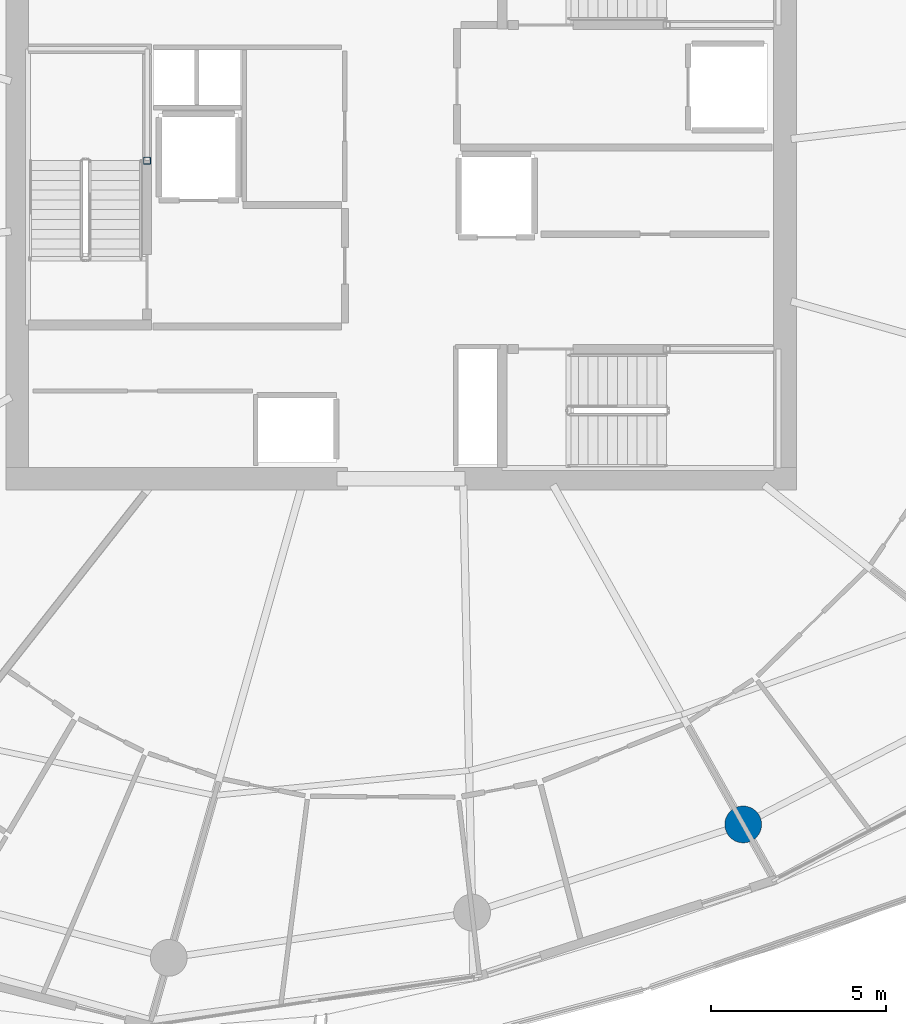
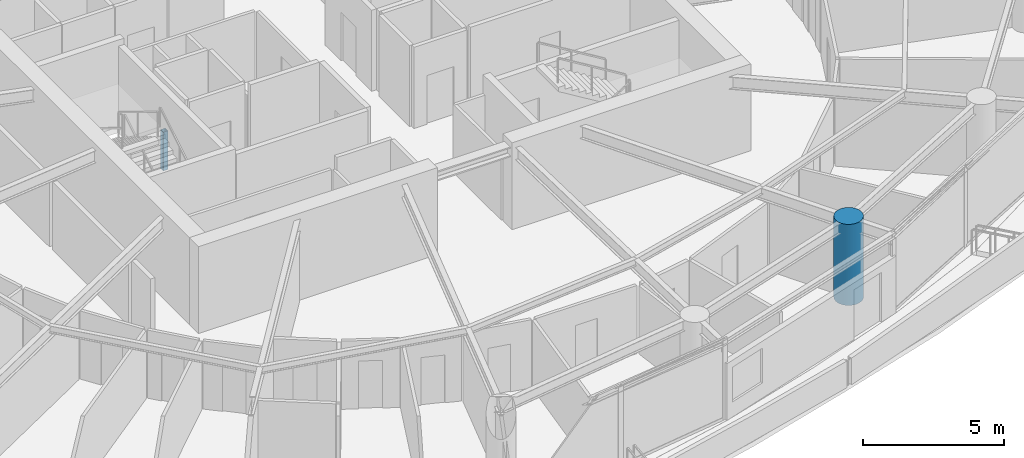
# One storey, part 2 of 21: 2 columns.
"""IFC4 building model written with IfcOpenShell, lengths in metres."""

from ifc_helpers import new_model, si_unit, direction, frame, origin, origin_2d, place, context, subcontext, project, spatial, hollow_rectangle, circle, extrude, material, material_profile, profile_set, type_object, element, save


model = new_model("IFC4")

# Units and contexts
model_context = context("Model", 3, precision=1e-05, world=origin(), true_north=direction((0.0, 1.0)))
body_context = subcontext(model_context, "Body", "Model", "MODEL_VIEW")
ifc_project = project(units=[si_unit("LENGTHUNIT", "METRE"), si_unit("AREAUNIT", "SQUARE_METRE"), si_unit("VOLUMEUNIT", "CUBIC_METRE"), si_unit("PLANEANGLEUNIT", "RADIAN"), si_unit("MASSUNIT", "GRAM", prefix="KILO")], contexts=[model_context])

# Site, building, storey
site_placement = place(None, origin())
site = spatial("IfcSite", under=ifc_project, at=site_placement, CompositionType="ELEMENT")
building_placement = place(site_placement, origin())
building = spatial("IfcBuilding", under=site, at=building_placement, Name="Kazma Halo Residences", CompositionType="ELEMENT")
storey_placement = place(building_placement, frame((0.0, 0.0, 184.050048828125)))
storey = spatial("IfcBuildingStorey", under=building, at=storey_placement, Name="L46", CompositionType="ELEMENT", Elevation=184.050048828125)

# Columns
ifc_material_1 = material(Name="Steel S355", Category="steel")
ifc_material_profile_1 = material_profile(ifc_material_1, hollow_rectangle(XDim=0.199951171875, YDim=0.199951171875, WallThickness=0.010009765625, InnerFilletRadius=0.010009765625, OuterFilletRadius=0.02001953125, at=origin_2d()), Name="SHS200x200x10")
ifc_profile_set_1 = profile_set([ifc_material_profile_1], Name="Steel S355")
column_type_1 = type_object("IfcColumnType", Name="COL-LP-SHS200", PredefinedType="COLUMN", material=ifc_profile_set_1)
column_1_placement = place(storey_placement, frame((41.179931640625, 42.75, 0.0), z_axis=(0.0, 0.0, 1.0), x_axis=(1.0, 0.0, 0.0)))
element("IfcColumn", 1, at=column_1_placement, inside=storey, type_object=column_type_1, Name="L46 ST-01 landing pilaster 1", PredefinedType="COLUMN", context=body_context, shape_type="SweptSolid", body=[
    extrude(hollow_rectangle(XDim=0.199951171875, YDim=0.199951171875, WallThickness=0.010009765625, InnerFilletRadius=0.010009765625, OuterFilletRadius=0.02001953125, at=origin_2d()), origin(), (0.0, 0.0, 1.0), 1.669921875),
])
ifc_material_2 = material(Name="Concrete C80/95", Category="concrete")
ifc_material_profile_2 = material_profile(ifc_material_2, circle(Radius=0.52490234375, at=origin_2d()), Name="CIRC1050")
ifc_profile_set_2 = profile_set([ifc_material_profile_2], Name="Concrete C80/95")
column_type_2 = type_object("IfcColumnType", Name="COL-PERIM-1050", PredefinedType="COLUMN", material=ifc_profile_set_2)
column_2_placement = place(storey_placement, frame((58.184814453125, 23.813720703125, 0.0), z_axis=(0.0, 0.0, 1.0), x_axis=(1.0, 0.0, 0.0)))
element("IfcColumn", 2, at=column_2_placement, inside=storey, type_object=column_type_2, Name="L46 perimeter ring column P13", PredefinedType="COLUMN", context=body_context, shape_type="SweptSolid", body=[
    extrude(circle(Radius=0.52490234375, at=origin_2d()), origin(), (0.0, 0.0, 1.0), 3.5),
])

save(model, "model.ifc")
